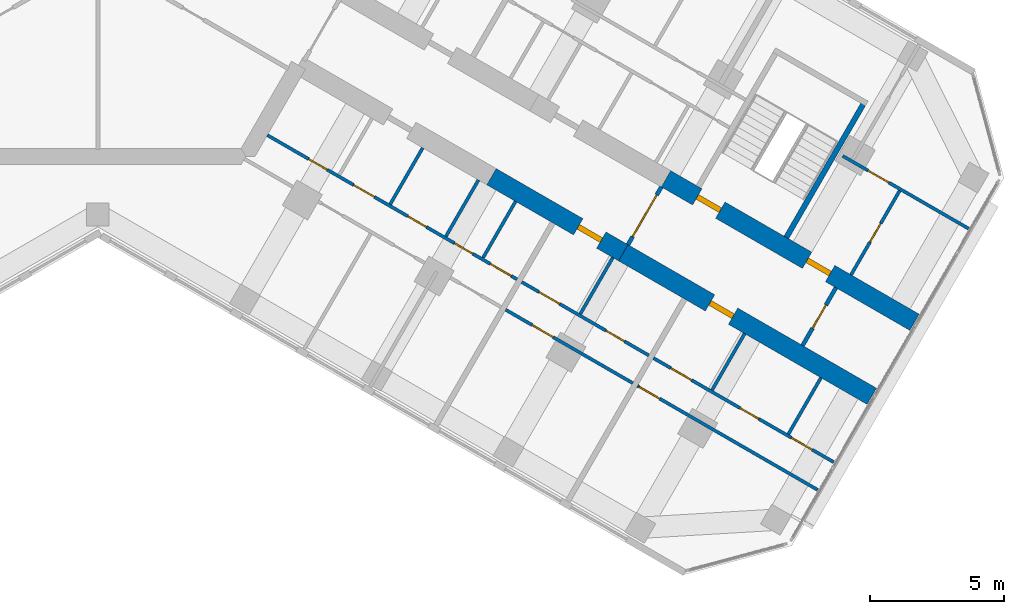
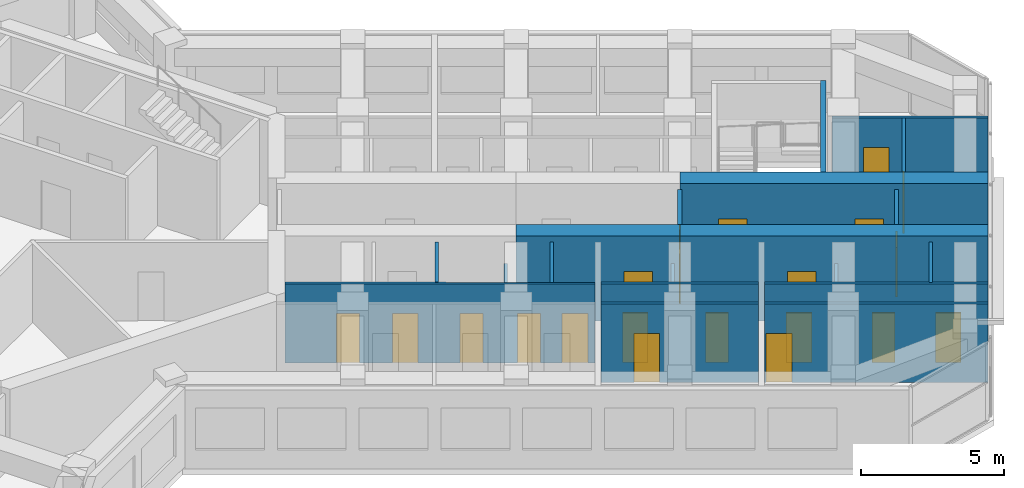
# One storey, part 11 of 16: 20 doors, 19 walls, 20 openings.
"""IFC4 building model written with IfcOpenShell, lengths in metres."""

from ifc_helpers import new_model, si_unit, direction, frame, frame_2d, origin, place, context, subcontext, project, spatial, rectangle, extrude, material, layer, layer_set, type_object, element, fill, save


model = new_model("IFC4")

# Units and contexts
model_context = context("Model", 3, precision=1e-05, world=origin(), true_north=direction((0.0, 1.0)))
body_context = subcontext(model_context, "Body", "Model", "MODEL_VIEW")
ifc_project = project(units=[si_unit("LENGTHUNIT", "METRE"), si_unit("AREAUNIT", "SQUARE_METRE"), si_unit("VOLUMEUNIT", "CUBIC_METRE"), si_unit("PLANEANGLEUNIT", "RADIAN"), si_unit("MASSUNIT", "GRAM", prefix="KILO")], contexts=[model_context])

# Site, building, storey
site_placement = place(None, origin())
site = spatial("IfcSite", under=ifc_project, at=site_placement, CompositionType="ELEMENT")
building_placement = place(site_placement, origin())
building = spatial("IfcBuilding", under=site, at=building_placement, Name="Kosmar Iwan School Tower", CompositionType="ELEMENT")
storey_placement = place(building_placement, frame((0.0, 0.0, 235.199951171875)))
storey = spatial("IfcBuildingStorey", under=building, at=storey_placement, Name="L59", CompositionType="ELEMENT", Elevation=235.199951171875)

# Wall, openings, doors
ifc_material_1 = material(Name="Concrete C50/60", Category="concrete")
ifc_layer_1 = layer(ifc_material_1, 0.699951171875)
ifc_layer_set_1 = layer_set([ifc_layer_1], Name="Corridor buttress wall 700")
wall_type_1 = type_object("IfcWallType", Name="Corridor buttress wall 700", PredefinedType="SHEAR", material=ifc_layer_set_1)
wall_1_placement = place(storey_placement, frame((21.281494140625, -10.439453125, 0.0), z_axis=(0.0, 0.0, 1.0), x_axis=(0.866032345022, -0.499987977232, 0.0)))
wall_1 = element("IfcWall", 1, at=wall_1_placement, inside=storey, type_object=wall_type_1, Name="Corridor wall CL bay 3", PredefinedType="SHEAR", context=body_context, shape_type="SweptSolid", body=[
    extrude(rectangle(XDim=10.744873046875, YDim=0.699951171875, at=frame_2d((5.37255859375, 0.0))), origin(), (0.0, 0.0, 1.0), 3.60009765625),
])
opening_1_placement = place(wall_1_placement, frame((6.10009765625, 0.0, 0.0)))
opening_1 = element("IfcOpeningElement", 2, at=opening_1_placement, cuts=wall_1, Name="Opening D1", PredefinedType="OPENING", context=body_context, shape_type="SweptSolid", body=[
    extrude(rectangle(XDim=1.0, YDim=2.10009765625, at=frame_2d((0.5, 1.050048828125))), frame((0.0, 0.362060546875, 0.0), z_axis=(0.0, -1.0, 0.0), x_axis=(1.0, 0.0, 0.0)), (0.0, 0.0, 1.0), 0.723876953125),
])
opening_2_placement = place(wall_1_placement, frame((1.35009765625, 0.0, 0.0)))
opening_2 = element("IfcOpeningElement", 3, at=opening_2_placement, cuts=wall_1, Name="Opening D6", PredefinedType="OPENING", context=body_context, shape_type="SweptSolid", body=[
    extrude(rectangle(XDim=1.0, YDim=2.10009765625, at=frame_2d((0.5, 1.050048828125))), frame((0.0, 0.362060546875, 0.0), z_axis=(0.0, -1.0, 0.0), x_axis=(1.0, 0.0, 0.0)), (0.0, 0.0, 1.0), 0.723876953125),
])
ifc_material_2 = material(Name="Timber fire door in steel frame", Category="steel")
door_type_1 = type_object("IfcDoorType", Name="Flat entrance door 1000x2100", OperationType="SINGLE_SWING_LEFT", PredefinedType="DOOR", material=ifc_material_2)
door_1_placement = place(opening_1_placement, origin())
door_1 = element("IfcDoor", 4, at=door_1_placement, inside=storey, type_object=door_type_1, Name="Flat L59-CL3 entrance door", OperationType="SINGLE_SWING_RIGHT", OverallHeight=2.10009765625, OverallWidth=1.0, PredefinedType="DOOR", context=body_context, shape_type="SweptSolid", body=[
    extrude(rectangle(XDim=1.0, YDim=2.10009765625, at=frame_2d((0.5, 1.050048828125))), frame((0.0, 0.10009765625, 0.0), z_axis=(0.0, -1.0, 0.0), x_axis=(1.0, 0.0, 0.0)), (0.0, 0.0, 1.0), 0.199951171875),
])
fill(opening_1, door_1)
ifc_material_3 = material(Name="Steel fire door", Category="steel")
door_type_2 = type_object("IfcDoorType", Name="Stair door 1000x2100", OperationType="SINGLE_SWING_LEFT", PredefinedType="DOOR", material=ifc_material_3)
door_2_placement = place(opening_2_placement, origin())
door_2 = element("IfcDoor", 5, at=door_2_placement, inside=storey, type_object=door_type_2, Name="Stair WS3 door L59", OperationType="SINGLE_SWING_LEFT", OverallHeight=2.10009765625, OverallWidth=1.0, PredefinedType="DOOR", context=body_context, shape_type="SweptSolid", body=[
    extrude(rectangle(XDim=1.0, YDim=2.10009765625, at=frame_2d((0.5, 1.050048828125))), frame((0.0, 0.10009765625, 0.0), z_axis=(0.0, -1.0, 0.0), x_axis=(1.0, 0.0, 0.0)), (0.0, 0.0, 1.0), 0.199951171875),
])
fill(opening_2, door_2)

# Wall, opening, door
wall_2_placement = place(storey_placement, frame((14.7451171875, -10.360595703125, 0.0), z_axis=(0.0, 0.0, 1.0), x_axis=(0.866015111908, -0.50001782563, 0.0)))
wall_2 = element("IfcWall", 6, at=wall_2_placement, inside=storey, type_object=wall_type_1, Name="Corridor wall CR bay 2", PredefinedType="SHEAR", context=body_context, shape_type="SweptSolid", body=[
    extrude(rectangle(XDim=5.699951171875, YDim=0.699951171875, at=frame_2d((2.85009765625, 0.0))), origin(), (0.0, 0.0, 1.0), 3.60009765625),
])
opening_3_placement = place(wall_2_placement, frame((3.75, 0.0, 0.0)))
opening_3 = element("IfcOpeningElement", 7, at=opening_3_placement, cuts=wall_2, Name="Opening D1", PredefinedType="OPENING", context=body_context, shape_type="SweptSolid", body=[
    extrude(rectangle(XDim=1.0, YDim=2.10009765625, at=frame_2d((0.5, 1.050048828125))), frame((0.0, 0.362060546875, 0.0), z_axis=(0.0, -1.0, 0.0), x_axis=(1.0, 0.0, 0.0)), (0.0, 0.0, 1.0), 0.723876953125),
])
door_3_placement = place(opening_3_placement, origin())
door_3 = element("IfcDoor", 8, at=door_3_placement, inside=storey, type_object=door_type_1, Name="Flat L59-CR2 entrance door", OperationType="SINGLE_SWING_RIGHT", OverallHeight=2.10009765625, OverallWidth=1.0, PredefinedType="DOOR", context=body_context, shape_type="SweptSolid", body=[
    extrude(rectangle(XDim=1.0, YDim=2.10009765625, at=frame_2d((0.5, 1.050048828125))), frame((0.0, 0.10009765625, 0.0), z_axis=(0.0, -1.0, 0.0), x_axis=(1.0, 0.0, 0.0)), (0.0, 0.0, 1.0), 0.199951171875),
])
fill(opening_3, door_3)

wall_3_placement = place(storey_placement, frame((19.681396484375, -13.210693359375, 0.0), z_axis=(0.0, 0.0, 1.0), x_axis=(0.866028186671, -0.499995179869, 0.0)))
wall_3 = element("IfcWall", 9, at=wall_3_placement, inside=storey, type_object=wall_type_1, Name="Corridor wall CR bay 3", PredefinedType="SHEAR", context=body_context, shape_type="SweptSolid", body=[
    extrude(rectangle(XDim=10.7451171875, YDim=0.699951171875, at=frame_2d((5.37255859375, 0.0))), origin(), (0.0, 0.0, 1.0), 3.60009765625),
])
opening_4_placement = place(wall_3_placement, frame((3.75, 0.0, 0.0)))
opening_4 = element("IfcOpeningElement", 10, at=opening_4_placement, cuts=wall_3, Name="Opening D1", PredefinedType="OPENING", context=body_context, shape_type="SweptSolid", body=[
    extrude(rectangle(XDim=1.0, YDim=2.10009765625, at=frame_2d((0.5, 1.050048828125))), frame((0.0, 0.362060546875, 0.0), z_axis=(0.0, -1.0, 0.0), x_axis=(1.0, 0.0, 0.0)), (0.0, 0.0, 1.0), 0.723876953125),
])
door_4_placement = place(opening_4_placement, origin())
door_4 = element("IfcDoor", 11, at=door_4_placement, inside=storey, type_object=door_type_1, Name="Flat L59-CR3 entrance door", OperationType="SINGLE_SWING_RIGHT", OverallHeight=2.10009765625, OverallWidth=1.0, PredefinedType="DOOR", context=body_context, shape_type="SweptSolid", body=[
    extrude(rectangle(XDim=1.0, YDim=2.10009765625, at=frame_2d((0.5, 1.050048828125))), frame((0.0, 0.10009765625, 0.0), z_axis=(0.0, -1.0, 0.0), x_axis=(1.0, 0.0, 0.0)), (0.0, 0.0, 1.0), 0.199951171875),
])
fill(opening_4, door_4)

ifc_material_4 = material(Name="Gypsum board on steel studs, fire-rated", Category="steel")
ifc_layer_2 = layer(ifc_material_4, 0.14990234375)
ifc_layer_set_2 = layer_set([ifc_layer_2], Name="Corridor end wall 150")
wall_type_2 = type_object("IfcWallType", Name="Corridor end wall 150", PredefinedType="PARTITIONING", material=ifc_layer_set_2)
wall_4_placement = place(storey_placement, frame((26.39501953125, -16.6826171875, 0.0), z_axis=(0.0, 0.0, 1.0), x_axis=(0.500004234368, 0.866022959057, 0.0)))
wall_4 = element("IfcWall", 12, at=wall_4_placement, inside=storey, type_object=wall_type_2, Name="Partition L59-C-CE", PredefinedType="PARTITIONING", context=body_context, shape_type="SweptSolid", body=[
    extrude(rectangle(XDim=2.5, YDim=0.14990234375, at=frame_2d((1.25, 0.0))), origin(), (0.0, 0.0, 1.0), 3.35009765625),
])
opening_5_placement = place(wall_4_placement, frame((0.75, 0.0, 0.0)))
opening_5 = element("IfcOpeningElement", 13, at=opening_5_placement, cuts=wall_4, Name="Opening D13", PredefinedType="OPENING", context=body_context, shape_type="SweptSolid", body=[
    extrude(rectangle(XDim=1.0, YDim=2.10009765625, at=frame_2d((0.5, 1.050048828125))), frame((0.0, 0.0869140625, 0.0), z_axis=(0.0, -1.0, 0.0), x_axis=(1.0, 0.0, 0.0)), (0.0, 0.0, 1.0), 0.173828125),
])
ifc_material_5 = material(Name="Timber fire door with vision panel", Category="wood")
door_type_3 = type_object("IfcDoorType", Name="Corridor end door 1000x2100", OperationType="SINGLE_SWING_LEFT", PredefinedType="DOOR", material=ifc_material_5)
door_5_placement = place(opening_5_placement, origin())
door_5 = element("IfcDoor", 14, at=door_5_placement, inside=storey, type_object=door_type_3, Name="Laundry and drying room door L59-C", OperationType="SINGLE_SWING_LEFT", OverallHeight=2.10009765625, OverallWidth=1.0, PredefinedType="DOOR", context=body_context, shape_type="SweptSolid", body=[
    extrude(rectangle(XDim=1.0, YDim=2.10009765625, at=frame_2d((0.5, 1.050048828125))), frame((0.0, 0.02490234375, 0.0), z_axis=(0.0, -1.0, 0.0), x_axis=(1.0, 0.0, 0.0)), (0.0, 0.0, 1.0), 0.050048828125),
])
fill(opening_5, door_5)

wall_5_placement = place(storey_placement, frame((19.8564453125, -12.907470703125, 0.0), z_axis=(0.0, 0.0, 1.0), x_axis=(0.500004234368, 0.866022959057, 0.0)))
wall_5 = element("IfcWall", 15, at=wall_5_placement, inside=storey, type_object=wall_type_2, Name="Partition L59-C-HW", PredefinedType="PARTITIONING", context=body_context, shape_type="SweptSolid", body=[
    extrude(rectangle(XDim=2.5, YDim=0.14990234375, at=frame_2d((1.25, 0.0))), origin(), (0.0, 0.0, 1.0), 3.35009765625),
])
opening_6_placement = place(wall_5_placement, frame((0.35009765625, 0.0, 0.0)))
opening_6 = element("IfcOpeningElement", 16, at=opening_6_placement, cuts=wall_5, Name="Opening D9", PredefinedType="OPENING", context=body_context, shape_type="SweptSolid", body=[
    extrude(rectangle(XDim=1.800048828125, YDim=2.10009765625, at=frame_2d((0.89990234375, 1.050048828125))), frame((0.0, 0.0869140625, 0.0), z_axis=(0.0, -1.0, 0.0), x_axis=(1.0, 0.0, 0.0)), (0.0, 0.0, 1.0), 0.173828125),
])
ifc_material_6 = material(Name="Steel framed glazed smoke door", Category="steel")
door_type_4 = type_object("IfcDoorType", Name="Corridor smoke door pair 1800x2100", OperationType="DOUBLE_DOOR_DOUBLE_SWING", PredefinedType="DOOR", material=ifc_material_6)
door_6_placement = place(opening_6_placement, origin())
door_6 = element("IfcDoor", 17, at=door_6_placement, inside=storey, type_object=door_type_4, Name="Entrance vestibule smoke doors L59-C", OperationType="DOUBLE_DOOR_DOUBLE_SWING", OverallHeight=2.10009765625, OverallWidth=1.800048828125, PredefinedType="DOOR", context=body_context, shape_type="SweptSolid", body=[
    extrude(rectangle(XDim=1.800048828125, YDim=2.10009765625, at=frame_2d((0.89990234375, 1.050048828125))), frame((0.0, 0.02490234375, 0.0), z_axis=(0.0, -1.0, 0.0), x_axis=(1.0, 0.0, 0.0)), (0.0, 0.0, 1.0), 0.050048828125),
])
fill(opening_6, door_6)

ifc_material_7 = material(Name="Gypsum board on steel studs", Category="steel")
ifc_layer_3 = layer(ifc_material_7, 0.1201171875)
ifc_layer_set_3 = layer_set([ifc_layer_3], Name="Dwelling partition 120")
wall_type_3 = type_object("IfcWallType", Name="Dwelling partition 120", PredefinedType="PARTITIONING", material=ifc_layer_set_3)
wall_6_placement = place(storey_placement, frame((27.896484375, -9.58203125, 0.0), z_axis=(0.0, 0.0, 1.0), x_axis=(0.866035508231, -0.499982498177, 0.0)))
wall_6 = element("IfcWall", 18, at=wall_6_placement, inside=storey, type_object=wall_type_3, Name="Partition L59-CL3-TW", PredefinedType="PARTITIONING", context=body_context, shape_type="SweptSolid", body=[
    extrude(rectangle(XDim=5.445068359375, YDim=0.1201171875, at=frame_2d((2.72265625, 0.0))), origin(), (0.0, 0.0, 1.0), 3.35009765625),
])
opening_7_placement = place(wall_6_placement, frame((1.10009765625, 0.0, 0.0)))
opening_7 = element("IfcOpeningElement", 19, at=opening_7_placement, cuts=wall_6, Name="Opening D2", PredefinedType="OPENING", context=body_context, shape_type="SweptSolid", body=[
    extrude(rectangle(XDim=0.89990234375, YDim=2.10009765625, at=frame_2d((0.449951171875, 1.050048828125))), frame((0.0, 0.072021484375, 0.0), z_axis=(0.0, -1.0, 0.0), x_axis=(1.0, 0.0, 0.0)), (0.0, 0.0, 1.0), 0.14404296875),
])
ifc_material_8 = material(Name="Timber door in timber frame", Category="wood")
door_type_5 = type_object("IfcDoorType", Name="Internal door 900x2100", OperationType="SINGLE_SWING_LEFT", PredefinedType="DOOR", material=ifc_material_8)
door_7_placement = place(opening_7_placement, origin())
door_7 = element("IfcDoor", 20, at=door_7_placement, inside=storey, type_object=door_type_5, Name="Entrance hall door L59-CL3-T3", OperationType="SINGLE_SWING_LEFT", OverallHeight=2.10009765625, OverallWidth=0.89990234375, PredefinedType="DOOR", context=body_context, shape_type="SweptSolid", body=[
    extrude(rectangle(XDim=0.89990234375, YDim=2.10009765625, at=frame_2d((0.449951171875, 1.050048828125))), frame((0.0, 0.02490234375, 0.0), z_axis=(0.0, -1.0, 0.0), x_axis=(1.0, 0.0, 0.0)), (0.0, 0.0, 1.0), 0.050048828125),
])
fill(opening_7, door_7)

wall_7_placement = place(storey_placement, frame((28.21142578125, -14.036376953125, 0.0), z_axis=(0.0, 0.0, 1.0), x_axis=(0.499983701346, 0.866034813612, 0.0)))
wall_7 = element("IfcWall", 21, at=wall_7_placement, inside=storey, type_object=wall_type_3, Name="Partition L59-CL3-TY", PredefinedType="PARTITIONING", context=body_context, shape_type="SweptSolid", body=[
    extrude(rectangle(XDim=3.64013671875, YDim=0.1201171875, at=frame_2d((1.820068359375, 0.0))), origin(), (0.0, 0.0, 1.0), 3.35009765625),
])
opening_8_placement = place(wall_7_placement, frame((1.419921875, 0.0, 0.0)))
opening_8 = element("IfcOpeningElement", 22, at=opening_8_placement, cuts=wall_7, Name="Opening D3", PredefinedType="OPENING", context=body_context, shape_type="SweptSolid", body=[
    extrude(rectangle(XDim=0.800048828125, YDim=2.10009765625, at=frame_2d((0.39990234375, 1.050048828125))), frame((0.0, 0.072021484375, 0.0), z_axis=(0.0, -1.0, 0.0), x_axis=(1.0, 0.0, 0.0)), (0.0, 0.0, 1.0), 0.14404296875),
])
ifc_material_9 = material(Name="Timber door in timber frame", Category="wood")
door_type_6 = type_object("IfcDoorType", Name="Sanitary room door 800x2100", OperationType="SINGLE_SWING_LEFT", PredefinedType="DOOR", material=ifc_material_9)
door_8_placement = place(opening_8_placement, origin())
door_8 = element("IfcDoor", 23, at=door_8_placement, inside=storey, type_object=door_type_6, Name="Bathroom door L59-CL3-T4", OperationType="SINGLE_SWING_RIGHT", OverallHeight=2.10009765625, OverallWidth=0.800048828125, PredefinedType="DOOR", context=body_context, shape_type="SweptSolid", body=[
    extrude(rectangle(XDim=0.800048828125, YDim=2.10009765625, at=frame_2d((0.39990234375, 1.050048828125))), frame((0.0, 0.02490234375, 0.0), z_axis=(0.0, -1.0, 0.0), x_axis=(1.0, 0.0, 0.0)), (0.0, 0.0, 1.0), 0.050048828125),
])
fill(opening_8, door_8)

# Wall, openings, doors
wall_8_placement = place(storey_placement, frame((6.3486328125, -8.8037109375, 0.0), z_axis=(0.0, 0.0, 1.0), x_axis=(0.866018442252, -0.500012057535, 0.0)))
wall_8 = element("IfcWall", 24, at=wall_8_placement, inside=storey, type_object=wall_type_3, Name="Partition L59-CR1-W1", PredefinedType="PARTITIONING", context=body_context, shape_type="SweptSolid", body=[
    extrude(rectangle(XDim=10.800048828125, YDim=0.1201171875, at=frame_2d((5.39990234375, 0.0))), origin(), (0.0, 0.0, 1.0), 3.35009765625),
])
opening_9_placement = place(wall_8_placement, frame((1.7900390625, 0.0, 0.0)))
opening_9 = element("IfcOpeningElement", 25, at=opening_9_placement, cuts=wall_8, Name="Opening D3", PredefinedType="OPENING", context=body_context, shape_type="SweptSolid", body=[
    extrude(rectangle(XDim=0.800048828125, YDim=2.10009765625, at=frame_2d((0.39990234375, 1.050048828125))), frame((0.0, 0.072021484375, 0.0), z_axis=(0.0, -1.0, 0.0), x_axis=(1.0, 0.0, 0.0)), (0.0, 0.0, 1.0), 0.14404296875),
])
opening_10_placement = place(wall_8_placement, frame((3.72998046875, 0.0, 0.0)))
opening_10 = element("IfcOpeningElement", 26, at=opening_10_placement, cuts=wall_8, Name="Opening D2", PredefinedType="OPENING", context=body_context, shape_type="SweptSolid", body=[
    extrude(rectangle(XDim=0.89990234375, YDim=2.10009765625, at=frame_2d((0.449951171875, 1.050048828125))), frame((0.0, 0.072021484375, 0.0), z_axis=(0.0, -1.0, 0.0), x_axis=(1.0, 0.0, 0.0)), (0.0, 0.0, 1.0), 0.14404296875),
])
opening_11_placement = place(wall_8_placement, frame((6.084228515625, 0.0, 0.0)))
opening_11 = element("IfcOpeningElement", 27, at=opening_11_placement, cuts=wall_8, Name="Opening D3", PredefinedType="OPENING", context=body_context, shape_type="SweptSolid", body=[
    extrude(rectangle(XDim=0.800048828125, YDim=2.10009765625, at=frame_2d((0.39990234375, 1.050048828125))), frame((0.0, 0.072021484375, 0.0), z_axis=(0.0, -1.0, 0.0), x_axis=(1.0, 0.0, 0.0)), (0.0, 0.0, 1.0), 0.14404296875),
])
opening_12_placement = place(wall_8_placement, frame((8.091552734375, 0.0, 0.0)))
opening_12 = element("IfcOpeningElement", 28, at=opening_12_placement, cuts=wall_8, Name="Opening D3", PredefinedType="OPENING", context=body_context, shape_type="SweptSolid", body=[
    extrude(rectangle(XDim=0.800048828125, YDim=2.10009765625, at=frame_2d((0.39990234375, 1.050048828125))), frame((0.0, 0.072021484375, 0.0), z_axis=(0.0, -1.0, 0.0), x_axis=(1.0, 0.0, 0.0)), (0.0, 0.0, 1.0), 0.14404296875),
])
opening_13_placement = place(wall_8_placement, frame((9.647216796875, 0.0, 0.0)))
opening_13 = element("IfcOpeningElement", 29, at=opening_13_placement, cuts=wall_8, Name="Opening D2", PredefinedType="OPENING", context=body_context, shape_type="SweptSolid", body=[
    extrude(rectangle(XDim=0.89990234375, YDim=2.10009765625, at=frame_2d((0.449951171875, 1.050048828125))), frame((0.0, 0.072021484375, 0.0), z_axis=(0.0, -1.0, 0.0), x_axis=(1.0, 0.0, 0.0)), (0.0, 0.0, 1.0), 0.14404296875),
])
door_9_placement = place(opening_10_placement, origin())
door_9 = element("IfcDoor", 30, at=door_9_placement, inside=storey, type_object=door_type_5, Name="Entrance hall door L59-CR1-S2", OperationType="SINGLE_SWING_LEFT", OverallHeight=2.10009765625, OverallWidth=0.89990234375, PredefinedType="DOOR", context=body_context, shape_type="SweptSolid", body=[
    extrude(rectangle(XDim=0.89990234375, YDim=2.10009765625, at=frame_2d((0.449951171875, 1.050048828125))), frame((0.0, 0.02490234375, 0.0), z_axis=(0.0, -1.0, 0.0), x_axis=(1.0, 0.0, 0.0)), (0.0, 0.0, 1.0), 0.050048828125),
])
fill(opening_10, door_9)
door_10_placement = place(opening_13_placement, origin())
door_10 = element("IfcDoor", 31, at=door_10_placement, inside=storey, type_object=door_type_5, Name="Pantry door L59-CR1-S5", OperationType="SINGLE_SWING_RIGHT", OverallHeight=2.10009765625, OverallWidth=0.89990234375, PredefinedType="DOOR", context=body_context, shape_type="SweptSolid", body=[
    extrude(rectangle(XDim=0.89990234375, YDim=2.10009765625, at=frame_2d((0.449951171875, 1.050048828125))), frame((0.0, 0.02490234375, 0.0), z_axis=(0.0, -1.0, 0.0), x_axis=(1.0, 0.0, 0.0)), (0.0, 0.0, 1.0), 0.050048828125),
])
fill(opening_13, door_10)
door_11_placement = place(opening_9_placement, origin())
door_11 = element("IfcDoor", 32, at=door_11_placement, inside=storey, type_object=door_type_6, Name="Shower room door L59-CR1-S1", OperationType="SINGLE_SWING_RIGHT", OverallHeight=2.10009765625, OverallWidth=0.800048828125, PredefinedType="DOOR", context=body_context, shape_type="SweptSolid", body=[
    extrude(rectangle(XDim=0.800048828125, YDim=2.10009765625, at=frame_2d((0.39990234375, 1.050048828125))), frame((0.0, 0.02490234375, 0.0), z_axis=(0.0, -1.0, 0.0), x_axis=(1.0, 0.0, 0.0)), (0.0, 0.0, 1.0), 0.050048828125),
])
fill(opening_9, door_11)
door_12_placement = place(opening_11_placement, origin())
door_12 = element("IfcDoor", 33, at=door_12_placement, inside=storey, type_object=door_type_6, Name="Bathroom door L59-CR1-S3", OperationType="SINGLE_SWING_RIGHT", OverallHeight=2.10009765625, OverallWidth=0.800048828125, PredefinedType="DOOR", context=body_context, shape_type="SweptSolid", body=[
    extrude(rectangle(XDim=0.800048828125, YDim=2.10009765625, at=frame_2d((0.39990234375, 1.050048828125))), frame((0.0, 0.02490234375, 0.0), z_axis=(0.0, -1.0, 0.0), x_axis=(1.0, 0.0, 0.0)), (0.0, 0.0, 1.0), 0.050048828125),
])
fill(opening_11, door_12)
door_13_placement = place(opening_12_placement, origin())
door_13 = element("IfcDoor", 34, at=door_13_placement, inside=storey, type_object=door_type_6, Name="Grandparents' shower room door L59-CR1-S4", OperationType="SINGLE_SWING_LEFT", OverallHeight=2.10009765625, OverallWidth=0.800048828125, PredefinedType="DOOR", context=body_context, shape_type="SweptSolid", body=[
    extrude(rectangle(XDim=0.800048828125, YDim=2.10009765625, at=frame_2d((0.39990234375, 1.050048828125))), frame((0.0, 0.02490234375, 0.0), z_axis=(0.0, -1.0, 0.0), x_axis=(1.0, 0.0, 0.0)), (0.0, 0.0, 1.0), 0.050048828125),
])
fill(opening_12, door_13)

# Walls
wall_9_placement = place(storey_placement, frame((12.17138671875, -9.27880859375, 0.0), z_axis=(0.0, 0.0, 1.0), x_axis=(-0.500077547548, -0.865980627057, 0.0)))
element("IfcWall", 35, at=wall_9_placement, inside=storey, type_object=wall_type_3, Name="Partition L59-CR1-Y2", PredefinedType="PARTITIONING", context=body_context, shape_type="SweptSolid", body=[
    extrude(rectangle(XDim=2.43994140625, YDim=0.1201171875, at=frame_2d((1.219970703125, 0.0))), origin(), (0.0, 0.0, 1.0), 3.35009765625),
])
wall_10_placement = place(storey_placement, frame((14.257080078125, -10.48291015625, 0.0), z_axis=(0.0, 0.0, 1.0), x_axis=(-0.499959183527, -0.866048967903, 0.0)))
element("IfcWall", 36, at=wall_10_placement, inside=storey, type_object=wall_type_3, Name="Partition L59-CR1-Y3", PredefinedType="PARTITIONING", context=body_context, shape_type="SweptSolid", body=[
    extrude(rectangle(XDim=2.440185546875, YDim=0.1201171875, at=frame_2d((1.22021484375, 0.0))), origin(), (0.0, 0.0, 1.0), 2.449951171875),
])
wall_11_placement = place(storey_placement, frame((15.647705078125, -11.285888671875, 0.0), z_axis=(0.0, 0.0, 1.0), x_axis=(-0.500002508028, -0.866023955769, 0.0)))
element("IfcWall", 37, at=wall_11_placement, inside=storey, type_object=wall_type_3, Name="Partition L59-CR1-Y4", PredefinedType="PARTITIONING", context=body_context, shape_type="SweptSolid", body=[
    extrude(rectangle(XDim=2.43994140625, YDim=0.1201171875, at=frame_2d((1.219970703125, 0.0))), origin(), (0.0, 0.0, 1.0), 3.35009765625),
])

# Wall, openings, doors
wall_12_placement = place(storey_placement, frame((15.875, -14.3037109375, 0.0), z_axis=(0.0, 0.0, 1.0), x_axis=(0.866027397988, -0.499996545922, 0.0)))
wall_12 = element("IfcWall", 38, at=wall_12_placement, inside=storey, type_object=wall_type_3, Name="Partition L59-CR2-W1", PredefinedType="PARTITIONING", context=body_context, shape_type="SweptSolid", body=[
    extrude(rectangle(XDim=5.5, YDim=0.1201171875, at=frame_2d((2.75, 0.0))), origin(), (0.0, 0.0, 1.0), 3.35009765625),
])
opening_14_placement = place(wall_12_placement, frame((0.75, 0.0, 0.0)))
opening_14 = element("IfcOpeningElement", 39, at=opening_14_placement, cuts=wall_12, Name="Opening D2", PredefinedType="OPENING", context=body_context, shape_type="SweptSolid", body=[
    extrude(rectangle(XDim=0.89990234375, YDim=2.10009765625, at=frame_2d((0.449951171875, 1.050048828125))), frame((0.0, 0.072021484375, 0.0), z_axis=(0.0, -1.0, 0.0), x_axis=(1.0, 0.0, 0.0)), (0.0, 0.0, 1.0), 0.14404296875),
])
opening_15_placement = place(wall_12_placement, frame((3.64990234375, 0.0, 0.0)))
opening_15 = element("IfcOpeningElement", 40, at=opening_15_placement, cuts=wall_12, Name="Opening D3", PredefinedType="OPENING", context=body_context, shape_type="SweptSolid", body=[
    extrude(rectangle(XDim=0.800048828125, YDim=2.10009765625, at=frame_2d((0.39990234375, 1.050048828125))), frame((0.0, 0.072021484375, 0.0), z_axis=(0.0, -1.0, 0.0), x_axis=(1.0, 0.0, 0.0)), (0.0, 0.0, 1.0), 0.14404296875),
])
door_14_placement = place(opening_14_placement, origin())
door_14 = element("IfcDoor", 41, at=door_14_placement, inside=storey, type_object=door_type_5, Name="Entrance hall door L59-CR2-S1", OperationType="SINGLE_SWING_RIGHT", OverallHeight=2.10009765625, OverallWidth=0.89990234375, PredefinedType="DOOR", context=body_context, shape_type="SweptSolid", body=[
    extrude(rectangle(XDim=0.89990234375, YDim=2.10009765625, at=frame_2d((0.449951171875, 1.050048828125))), frame((0.0, 0.02490234375, 0.0), z_axis=(0.0, -1.0, 0.0), x_axis=(1.0, 0.0, 0.0)), (0.0, 0.0, 1.0), 0.050048828125),
])
fill(opening_14, door_14)
door_15_placement = place(opening_15_placement, origin())
door_15 = element("IfcDoor", 42, at=door_15_placement, inside=storey, type_object=door_type_6, Name="Bathroom door L59-CR2-S2", OperationType="SINGLE_SWING_RIGHT", OverallHeight=2.10009765625, OverallWidth=0.800048828125, PredefinedType="DOOR", context=body_context, shape_type="SweptSolid", body=[
    extrude(rectangle(XDim=0.800048828125, YDim=2.10009765625, at=frame_2d((0.39990234375, 1.050048828125))), frame((0.0, 0.02490234375, 0.0), z_axis=(0.0, -1.0, 0.0), x_axis=(1.0, 0.0, 0.0)), (0.0, 0.0, 1.0), 0.050048828125),
])
fill(opening_15, door_15)

# Wall, opening, door
wall_13_placement = place(storey_placement, frame((15.27490234375, -15.343017578125, 0.0), z_axis=(0.0, 0.0, 1.0), x_axis=(0.866027397988, -0.499996545922, 0.0)))
wall_13 = element("IfcWall", 43, at=wall_13_placement, inside=storey, type_object=wall_type_3, Name="Partition L59-CR2-W2", PredefinedType="PARTITIONING", context=body_context, shape_type="SweptSolid", body=[
    extrude(rectangle(XDim=5.5, YDim=0.1201171875, at=frame_2d((2.75, 0.0))), origin(), (0.0, 0.0, 1.0), 3.35009765625),
])
opening_16_placement = place(wall_13_placement, frame((1.14990234375, 0.0, 0.0)))
opening_16 = element("IfcOpeningElement", 44, at=opening_16_placement, cuts=wall_13, Name="Opening D2", PredefinedType="OPENING", context=body_context, shape_type="SweptSolid", body=[
    extrude(rectangle(XDim=0.89990234375, YDim=2.10009765625, at=frame_2d((0.449951171875, 1.050048828125))), frame((0.0, 0.072021484375, 0.0), z_axis=(0.0, -1.0, 0.0), x_axis=(1.0, 0.0, 0.0)), (0.0, 0.0, 1.0), 0.14404296875),
])
door_16_placement = place(opening_16_placement, origin())
door_16 = element("IfcDoor", 45, at=door_16_placement, inside=storey, type_object=door_type_5, Name="Studio living room and kitchen door L59-CR2-F1", OperationType="SINGLE_SWING_LEFT", OverallHeight=2.10009765625, OverallWidth=0.89990234375, PredefinedType="DOOR", context=body_context, shape_type="SweptSolid", body=[
    extrude(rectangle(XDim=0.89990234375, YDim=2.10009765625, at=frame_2d((0.449951171875, 1.050048828125))), frame((0.0, 0.02490234375, 0.0), z_axis=(0.0, -1.0, 0.0), x_axis=(1.0, 0.0, 0.0)), (0.0, 0.0, 1.0), 0.050048828125),
])
fill(opening_16, door_16)

# Wall
wall_14_placement = place(storey_placement, frame((19.2900390625, -13.388671875, 0.0), z_axis=(0.0, 0.0, 1.0), x_axis=(-0.499959183527, -0.866048967903, 0.0)))
element("IfcWall", 46, at=wall_14_placement, inside=storey, type_object=wall_type_3, Name="Partition L59-CR2-Y1", PredefinedType="PARTITIONING", context=body_context, shape_type="SweptSolid", body=[
    extrude(rectangle(XDim=2.440185546875, YDim=0.1201171875, at=frame_2d((1.22021484375, 0.0))), origin(), (0.0, 0.0, 1.0), 2.449951171875),
])

# Wall, openings, doors
wall_15_placement = place(storey_placement, frame((20.811279296875, -17.15380859375, 0.0), z_axis=(0.0, 0.0, 1.0), x_axis=(0.866029639064, -0.499992664208, 0.0)))
wall_15 = element("IfcWall", 47, at=wall_15_placement, inside=storey, type_object=wall_type_3, Name="Partition L59-CR3-W1", PredefinedType="PARTITIONING", context=body_context, shape_type="SweptSolid", body=[
    extrude(rectangle(XDim=7.794921875, YDim=0.1201171875, at=frame_2d((3.8974609375, 0.0))), origin(), (0.0, 0.0, 1.0), 3.35009765625),
])
opening_17_placement = place(wall_15_placement, frame((0.75, 0.0, 0.0)))
opening_17 = element("IfcOpeningElement", 48, at=opening_17_placement, cuts=wall_15, Name="Opening D2", PredefinedType="OPENING", context=body_context, shape_type="SweptSolid", body=[
    extrude(rectangle(XDim=0.89990234375, YDim=2.10009765625, at=frame_2d((0.449951171875, 1.050048828125))), frame((0.0, 0.072021484375, 0.0), z_axis=(0.0, -1.0, 0.0), x_axis=(1.0, 0.0, 0.0)), (0.0, 0.0, 1.0), 0.14404296875),
])
opening_18_placement = place(wall_15_placement, frame((3.75, 0.0, 0.0)))
opening_18 = element("IfcOpeningElement", 49, at=opening_18_placement, cuts=wall_15, Name="Opening D3", PredefinedType="OPENING", context=body_context, shape_type="SweptSolid", body=[
    extrude(rectangle(XDim=0.800048828125, YDim=2.10009765625, at=frame_2d((0.39990234375, 1.050048828125))), frame((0.0, 0.072021484375, 0.0), z_axis=(0.0, -1.0, 0.0), x_axis=(1.0, 0.0, 0.0)), (0.0, 0.0, 1.0), 0.14404296875),
])
opening_19_placement = place(wall_15_placement, frame((5.9599609375, 0.0, 0.0)))
opening_19 = element("IfcOpeningElement", 50, at=opening_19_placement, cuts=wall_15, Name="Opening D2", PredefinedType="OPENING", context=body_context, shape_type="SweptSolid", body=[
    extrude(rectangle(XDim=0.89990234375, YDim=2.10009765625, at=frame_2d((0.449951171875, 1.050048828125))), frame((0.0, 0.072021484375, 0.0), z_axis=(0.0, -1.0, 0.0), x_axis=(1.0, 0.0, 0.0)), (0.0, 0.0, 1.0), 0.14404296875),
])
door_17_placement = place(opening_17_placement, origin())
door_17 = element("IfcDoor", 51, at=door_17_placement, inside=storey, type_object=door_type_5, Name="Entrance hall door L59-CR3-S1", OperationType="SINGLE_SWING_LEFT", OverallHeight=2.10009765625, OverallWidth=0.89990234375, PredefinedType="DOOR", context=body_context, shape_type="SweptSolid", body=[
    extrude(rectangle(XDim=0.89990234375, YDim=2.10009765625, at=frame_2d((0.449951171875, 1.050048828125))), frame((0.0, 0.02490234375, 0.0), z_axis=(0.0, -1.0, 0.0), x_axis=(1.0, 0.0, 0.0)), (0.0, 0.0, 1.0), 0.050048828125),
])
fill(opening_17, door_17)
door_18_placement = place(opening_19_placement, origin())
door_18 = element("IfcDoor", 52, at=door_18_placement, inside=storey, type_object=door_type_5, Name="Pantry door L59-CR3-S3", OperationType="SINGLE_SWING_LEFT", OverallHeight=2.10009765625, OverallWidth=0.89990234375, PredefinedType="DOOR", context=body_context, shape_type="SweptSolid", body=[
    extrude(rectangle(XDim=0.89990234375, YDim=2.10009765625, at=frame_2d((0.449951171875, 1.050048828125))), frame((0.0, 0.02490234375, 0.0), z_axis=(0.0, -1.0, 0.0), x_axis=(1.0, 0.0, 0.0)), (0.0, 0.0, 1.0), 0.050048828125),
])
fill(opening_19, door_18)
door_19_placement = place(opening_18_placement, origin())
door_19 = element("IfcDoor", 53, at=door_19_placement, inside=storey, type_object=door_type_6, Name="Bathroom door L59-CR3-S2", OperationType="SINGLE_SWING_RIGHT", OverallHeight=2.10009765625, OverallWidth=0.800048828125, PredefinedType="DOOR", context=body_context, shape_type="SweptSolid", body=[
    extrude(rectangle(XDim=0.800048828125, YDim=2.10009765625, at=frame_2d((0.39990234375, 1.050048828125))), frame((0.0, 0.02490234375, 0.0), z_axis=(0.0, -1.0, 0.0), x_axis=(1.0, 0.0, 0.0)), (0.0, 0.0, 1.0), 0.050048828125),
])
fill(opening_18, door_19)

# Wall, opening, door
wall_16_placement = place(storey_placement, frame((20.211181640625, -18.193115234375, 0.0), z_axis=(0.0, 0.0, 1.0), x_axis=(0.866029639064, -0.499992664208, 0.0)))
wall_16 = element("IfcWall", 54, at=wall_16_placement, inside=storey, type_object=wall_type_3, Name="Partition L59-CR3-W2", PredefinedType="PARTITIONING", context=body_context, shape_type="SweptSolid", body=[
    extrude(rectangle(XDim=7.794921875, YDim=0.1201171875, at=frame_2d((3.8974609375, 0.0))), origin(), (0.0, 0.0, 1.0), 3.35009765625),
])
opening_20_placement = place(wall_16_placement, frame((0.06005859375, 0.0, 0.0)))
opening_20 = element("IfcOpeningElement", 55, at=opening_20_placement, cuts=wall_16, Name="Opening D2", PredefinedType="OPENING", context=body_context, shape_type="SweptSolid", body=[
    extrude(rectangle(XDim=0.89990234375, YDim=2.10009765625, at=frame_2d((0.449951171875, 1.050048828125))), frame((0.0, 0.072021484375, 0.0), z_axis=(0.0, -1.0, 0.0), x_axis=(1.0, 0.0, 0.0)), (0.0, 0.0, 1.0), 0.14404296875),
])
door_20_placement = place(opening_20_placement, origin())
door_20 = element("IfcDoor", 56, at=door_20_placement, inside=storey, type_object=door_type_5, Name="Studio living room and kitchen door L59-CR3-F1", OperationType="SINGLE_SWING_LEFT", OverallHeight=2.10009765625, OverallWidth=0.89990234375, PredefinedType="DOOR", context=body_context, shape_type="SweptSolid", body=[
    extrude(rectangle(XDim=0.89990234375, YDim=2.10009765625, at=frame_2d((0.449951171875, 1.050048828125))), frame((0.0, 0.02490234375, 0.0), z_axis=(0.0, -1.0, 0.0), x_axis=(1.0, 0.0, 0.0)), (0.0, 0.0, 1.0), 0.050048828125),
])
fill(opening_20, door_20)

# Walls
wall_17_placement = place(storey_placement, frame((24.226318359375, -16.23876953125, 0.0), z_axis=(0.0, 0.0, 1.0), x_axis=(-0.500002508028, -0.866023955769, 0.0)))
element("IfcWall", 57, at=wall_17_placement, inside=storey, type_object=wall_type_3, Name="Partition L59-CR3-Y1", PredefinedType="PARTITIONING", context=body_context, shape_type="SweptSolid", body=[
    extrude(rectangle(XDim=2.43994140625, YDim=0.1201171875, at=frame_2d((1.219970703125, 0.0))), origin(), (0.0, 0.0, 1.0), 2.449951171875),
])
wall_18_placement = place(storey_placement, frame((27.084228515625, -17.888671875, 0.0), z_axis=(0.0, 0.0, 1.0), x_axis=(-0.499959183527, -0.866048967903, 0.0)))
element("IfcWall", 58, at=wall_18_placement, inside=storey, type_object=wall_type_3, Name="Partition L59-CR3-Y2", PredefinedType="PARTITIONING", context=body_context, shape_type="SweptSolid", body=[
    extrude(rectangle(XDim=2.440185546875, YDim=0.1201171875, at=frame_2d((1.22021484375, 0.0))), origin(), (0.0, 0.0, 1.0), 3.35009765625),
])
ifc_material_10 = material(Name="Concrete C35/45", Category="concrete")
ifc_layer_4 = layer(ifc_material_10, 0.199951171875)
ifc_layer_set_4 = layer_set([ifc_layer_4], Name="Escape stair wall 200")
wall_type_4 = type_object("IfcWallType", Name="Escape stair wall 200", PredefinedType="SHEAR", material=ifc_layer_set_4)
wall_19_placement = place(storey_placement, frame((25.78662109375, -12.63623046875, 0.0), z_axis=(0.0, 0.0, 1.0), x_axis=(0.500013701029, 0.866017493347, 0.0)))
element("IfcWall", 59, at=wall_19_placement, inside=storey, type_object=wall_type_4, Name="Stair WS3 wall", PredefinedType="SHEAR", context=body_context, shape_type="SweptSolid", body=[
    extrude(rectangle(XDim=5.949951171875, YDim=0.199951171875, at=frame_2d((2.97509765625, 0.0))), origin(), (0.0, 0.0, 1.0), 3.330078125),
])

save(model, "model.ifc")
